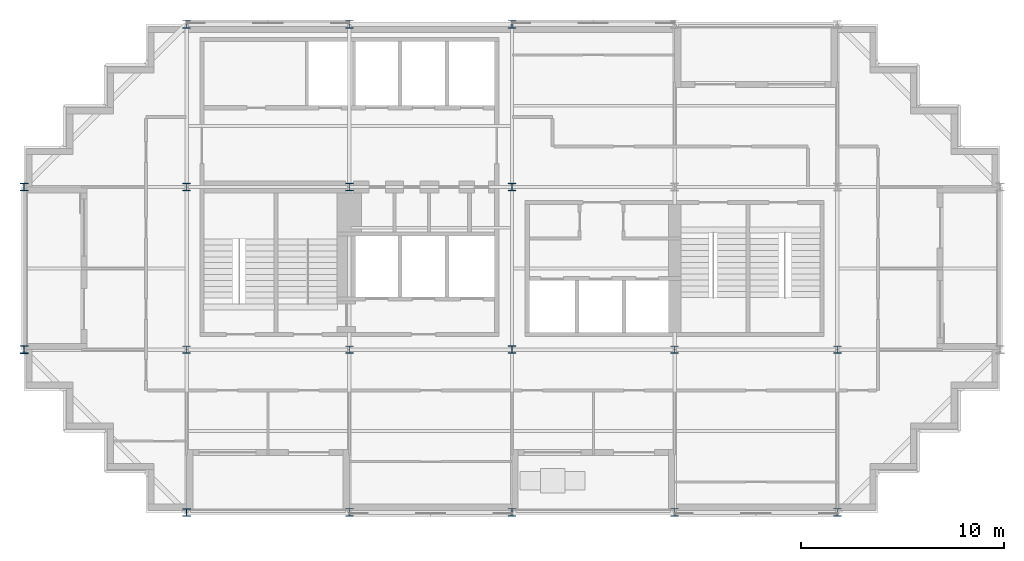
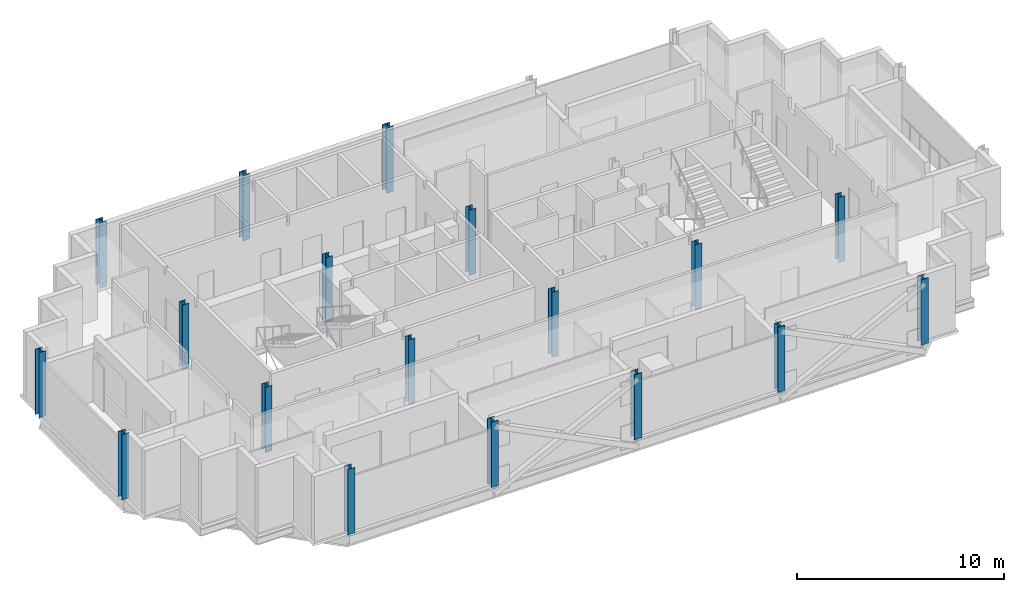
# One storey, part 1 of 10: 18 columns.
"""IFC4 building model written with IfcOpenShell, lengths in metres."""

from ifc_helpers import new_model, si_unit, direction, frame, origin, origin_2d, place, context, subcontext, project, spatial, i_section, extrude, material, material_profile, profile_set, type_object, element, save


model = new_model("IFC4")

# Units and contexts
model_context = context("Model", 3, precision=1e-05, world=origin(), true_north=direction((0.0, 1.0)))
body_context = subcontext(model_context, "Body", "Model", "MODEL_VIEW")
ifc_project = project(units=[si_unit("LENGTHUNIT", "METRE"), si_unit("AREAUNIT", "SQUARE_METRE"), si_unit("VOLUMEUNIT", "CUBIC_METRE"), si_unit("PLANEANGLEUNIT", "RADIAN"), si_unit("MASSUNIT", "GRAM", prefix="KILO")], contexts=[model_context])

# Site, building, storey
site_placement = place(None, origin())
site = spatial("IfcSite", under=ifc_project, at=site_placement, CompositionType="ELEMENT")
building_placement = place(site_placement, origin())
building = spatial("IfcBuilding", under=site, at=building_placement, Name="Immortelle Media Tower", CompositionType="ELEMENT")
storey_placement = place(building_placement, frame((0.0, 0.0, 255.0)))
storey = spatial("IfcBuildingStorey", under=building, at=storey_placement, Name="L55", CompositionType="ELEMENT", Elevation=255.0)

# Columns
ifc_material = material(Name="Steel ASTM A992 Gr 50", Category="steel")
ifc_material_profile_1 = material_profile(ifc_material, i_section(OverallWidth=0.373046875, OverallDepth=0.367919921875, WebThickness=0.014892578125, FlangeThickness=0.02392578125, at=origin_2d()), Name="W14x120")
ifc_profile_set_1 = profile_set([ifc_material_profile_1], Name="Steel ASTM A992 Gr 50")
column_type_1 = type_object("IfcColumnType", Name="W14x120 column", PredefinedType="COLUMN", material=ifc_profile_set_1)
for number, where, z_axis, x_axis, name in (
    (1, (24.0, 8.0, 0.0), (0.0, 0.0, 1.0), (1.0, 0.0, 0.0), "Column 4/B"),
    (2, (24.0, 16.0, 0.0), (0.0, 0.0, 1.0), (1.0, 0.0, 0.0), "Column 4/C"),
):
    element("IfcColumn", number, at=place(storey_placement, frame(where, z_axis=z_axis, x_axis=x_axis)), inside=storey, type_object=column_type_1, Name=name, PredefinedType="COLUMN", context=body_context, shape_type="SweptSolid", body=[
        extrude(i_section(OverallWidth=0.373046875, OverallDepth=0.367919921875, WebThickness=0.014892578125, FlangeThickness=0.02392578125, at=origin_2d()), origin(), (0.0, 0.0, 1.0), 3.85009765625),
    ])
ifc_material_profile_2 = material_profile(ifc_material, i_section(OverallWidth=0.39404296875, OverallDepth=0.3759765625, WebThickness=0.01708984375, FlangeThickness=0.028076171875, at=origin_2d()), Name="W14x145")
ifc_profile_set_2 = profile_set([ifc_material_profile_2], Name="Steel ASTM A992 Gr 50")
column_type_2 = type_object("IfcColumnType", Name="W14x145 column", PredefinedType="COLUMN", material=ifc_profile_set_2)
for number, where, z_axis, x_axis, name in (
    (3, (0.0, 8.0, 0.0), (0.0, 0.0, 1.0), (1.0, 0.0, 0.0), "Column 1/B"),
    (4, (0.0, 16.0, 0.0), (0.0, 0.0, 1.0), (1.0, 0.0, 0.0), "Column 1/C"),
    (5, (8.0, 0.0, 0.0), (0.0, 0.0, 1.0), (1.0, 0.0, 0.0), "Column 2/A"),
):
    element("IfcColumn", number, at=place(storey_placement, frame(where, z_axis=z_axis, x_axis=x_axis)), inside=storey, type_object=column_type_2, Name=name, PredefinedType="COLUMN", context=body_context, shape_type="SweptSolid", body=[
        extrude(i_section(OverallWidth=0.39404296875, OverallDepth=0.3759765625, WebThickness=0.01708984375, FlangeThickness=0.028076171875, at=origin_2d()), origin(), (0.0, 0.0, 1.0), 3.85009765625),
    ])
ifc_material_profile_3 = material_profile(ifc_material, i_section(OverallWidth=0.40087890625, OverallDepth=0.39892578125, WebThickness=0.02490234375, FlangeThickness=0.0400390625, at=origin_2d()), Name="W14x211")
ifc_profile_set_3 = profile_set([ifc_material_profile_3], Name="Steel ASTM A992 Gr 50")
column_type_3 = type_object("IfcColumnType", Name="W14x211 column", PredefinedType="COLUMN", material=ifc_profile_set_3)
for number, where, z_axis, x_axis, name in (
    (6, (8.0, 24.0, 0.0), (0.0, 0.0, 1.0), (1.0, 0.0, 0.0), "Column 2/D"),
    (7, (16.0, 0.0, 0.0), (0.0, 0.0, 1.0), (1.0, 0.0, 0.0), "Column 3/A"),
    (8, (16.0, 24.0, 0.0), (0.0, 0.0, 1.0), (1.0, 0.0, 0.0), "Column 3/D"),
    (9, (24.0, 0.0, 0.0), (0.0, 0.0, 1.0), (1.0, 0.0, 0.0), "Column 4/A"),
    (10, (24.0, 24.0, 0.0), (0.0, 0.0, 1.0), (1.0, 0.0, 0.0), "Column 4/D"),
    (11, (32.0, 0.0, 0.0), (0.0, 0.0, 1.0), (1.0, 0.0, 0.0), "Column 5/A"),
    (12, (40.0, 0.0, 0.0), (0.0, 0.0, 1.0), (1.0, 0.0, 0.0), "Column 6/A"),
):
    element("IfcColumn", number, at=place(storey_placement, frame(where, z_axis=z_axis, x_axis=x_axis)), inside=storey, type_object=column_type_3, Name=name, PredefinedType="COLUMN", context=body_context, shape_type="SweptSolid", body=[
        extrude(i_section(OverallWidth=0.40087890625, OverallDepth=0.39892578125, WebThickness=0.02490234375, FlangeThickness=0.0400390625, at=origin_2d()), origin(), (0.0, 0.0, 1.0), 3.85009765625),
    ])
ifc_material_profile_4 = material_profile(ifc_material, i_section(OverallWidth=0.37109375, OverallDepth=0.361083984375, WebThickness=0.011962890625, FlangeThickness=0.02001953125, at=origin_2d()), Name="W14x99")
ifc_profile_set_4 = profile_set([ifc_material_profile_4], Name="Steel ASTM A992 Gr 50")
column_type_4 = type_object("IfcColumnType", Name="W14x99 column", PredefinedType="COLUMN", material=ifc_profile_set_4)
for number, where, z_axis, x_axis, name in (
    (13, (8.0, 8.0, 0.0), (0.0, 0.0, 1.0), (1.0, 0.0, 0.0), "Column 2/B"),
    (14, (8.0, 16.0, 0.0), (0.0, 0.0, 1.0), (1.0, 0.0, 0.0), "Column 2/C"),
    (15, (16.0, 8.0, 0.0), (0.0, 0.0, 1.0), (1.0, 0.0, 0.0), "Column 3/B"),
    (16, (16.0, 16.0, 0.0), (0.0, 0.0, 1.0), (1.0, 0.0, 0.0), "Column 3/C"),
    (17, (32.0, 8.0, 0.0), (0.0, 0.0, 1.0), (1.0, 0.0, 0.0), "Column 5/B"),
    (18, (40.0, 8.0, 0.0), (0.0, 0.0, 1.0), (1.0, 0.0, 0.0), "Column 6/B"),
):
    element("IfcColumn", number, at=place(storey_placement, frame(where, z_axis=z_axis, x_axis=x_axis)), inside=storey, type_object=column_type_4, Name=name, PredefinedType="COLUMN", context=body_context, shape_type="SweptSolid", body=[
        extrude(i_section(OverallWidth=0.37109375, OverallDepth=0.361083984375, WebThickness=0.011962890625, FlangeThickness=0.02001953125, at=origin_2d()), origin(), (0.0, 0.0, 1.0), 3.85009765625),
    ])

save(model, "model.ifc")
